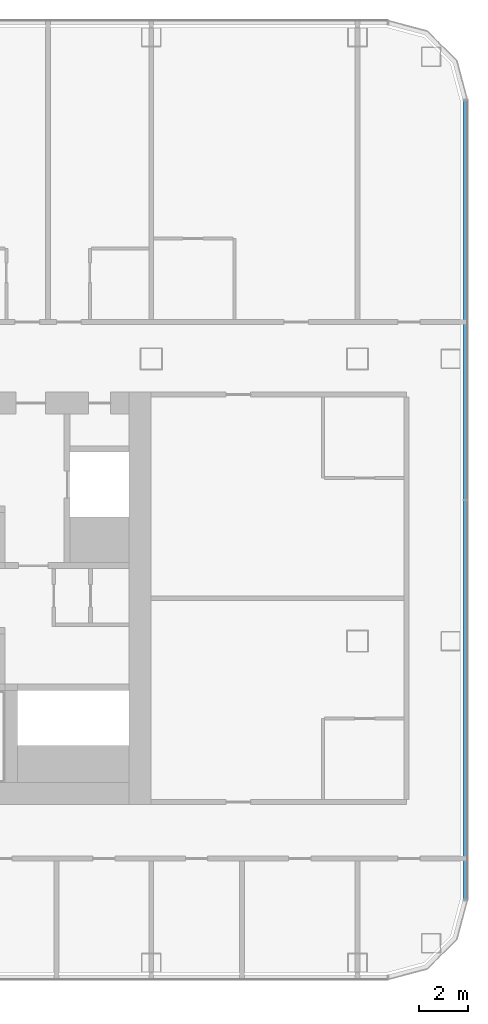
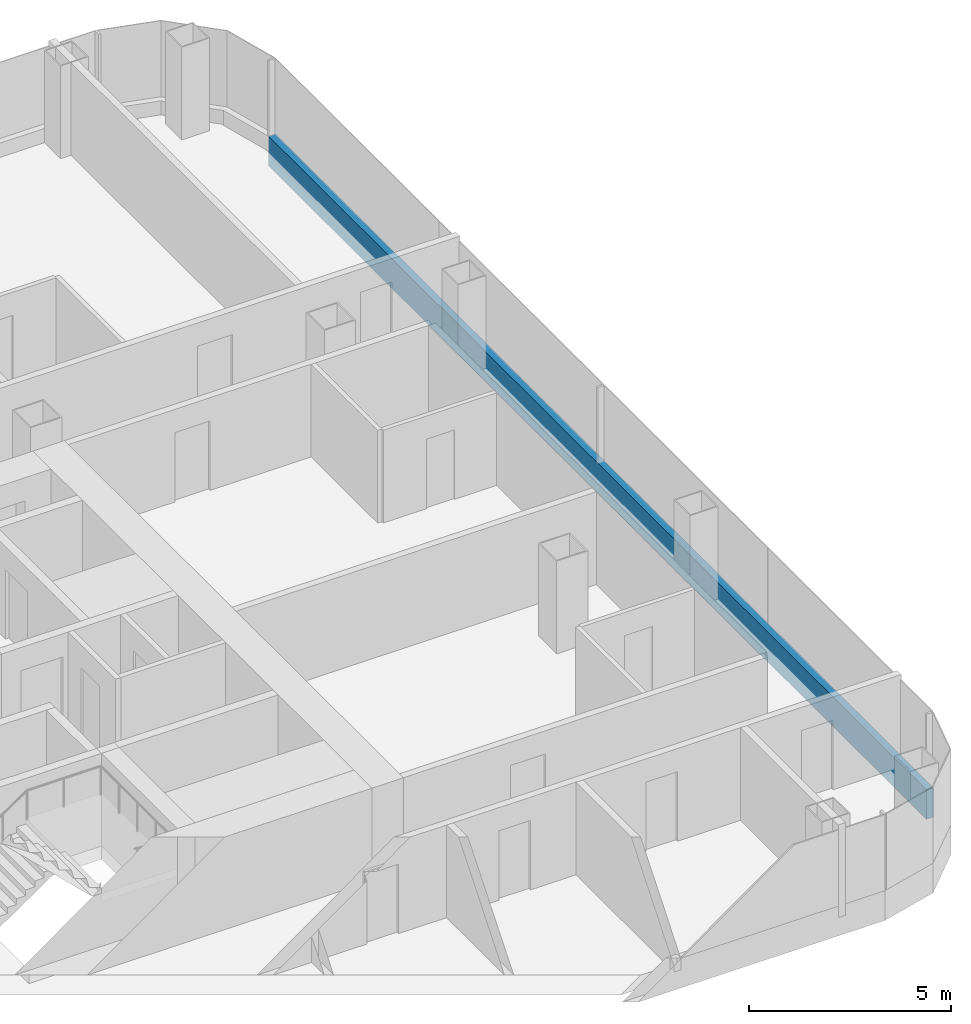
# One storey, part 12 of 29: 1 member, 1 element without a shape of its own.
"""IFC4 building model written with IfcOpenShell, lengths in metres."""

from ifc_helpers import new_model, si_unit, direction, frame, origin, origin_2d, place, context, subcontext, project, spatial, rectangle, extrude, material, layer, layer_set, material_profile, profile_set, type_object, element, aggregate, save


model = new_model("IFC4")

# Units and contexts
model_context = context("Model", 3, precision=1e-05, world=origin(), true_north=direction((0.0, 1.0)))
body_context = subcontext(model_context, "Body", "Model", "MODEL_VIEW")
ifc_project = project(units=[si_unit("LENGTHUNIT", "METRE"), si_unit("AREAUNIT", "SQUARE_METRE"), si_unit("VOLUMEUNIT", "CUBIC_METRE"), si_unit("PLANEANGLEUNIT", "RADIAN"), si_unit("MASSUNIT", "GRAM", prefix="KILO")], contexts=[model_context])

# Site, building, storey
site_placement = place(None, origin())
site = spatial("IfcSite", under=ifc_project, at=site_placement, CompositionType="ELEMENT")
building_placement = place(site_placement, origin())
building = spatial("IfcBuilding", under=site, at=building_placement, Name="Hakoniwa Tower and Hamabe Station Hall", CompositionType="ELEMENT")
storey_placement = place(building_placement, frame((0.0, 0.0, 97.800048828125)))
storey = spatial("IfcBuildingStorey", under=building, at=storey_placement, Name="L27", CompositionType="ELEMENT", Elevation=97.800048828125)

# Curtain wall, member
ifc_material_1 = material(Name="Dark low-e laminated glass", Category="glass")
ifc_layer = layer(ifc_material_1, 0.199951171875)
ifc_layer_set = layer_set([ifc_layer], Name="CW-1 UNITISED GUEST")
curtain_wall_type = type_object("IfcCurtainWallType", Name="CW-1 UNITISED GUEST", PredefinedType="NOTDEFINED", material=ifc_layer_set)
curtain_wall_placement = place(storey_placement, origin())
curtain_wall = element("IfcCurtainWall", 1, at=curtain_wall_placement, inside=storey, type_object=curtain_wall_type, Name="CW-1 curtain wall", PredefinedType="NOTDEFINED")
ifc_material_2 = material(Name="Aluminium 6063-T5 black anodised", Category="aluminium")
ifc_material_profile = material_profile(ifc_material_2, rectangle(XDim=0.199951171875, YDim=0.89990234375, at=origin_2d()), Name="CW SLAB-EDGE BAND 900X200")
ifc_profile_set = profile_set([ifc_material_profile], Name="Aluminium 6063-T5 black anodised")
member_type = type_object("IfcMemberType", Name="CW SLAB-EDGE BAND 900X200", PredefinedType="USERDEFINED", material=ifc_profile_set)
member_placement = place(storey_placement, frame((46.39990234375, -12.28955078125, -0.10009765625), z_axis=(0.0, 1.0, 0.0), x_axis=(-1.0, 0.0, 0.0)))
member = element("IfcMember", 2, at=member_placement, type_object=member_type, Name="CW-1 transom", ObjectType="TRANSOM", PredefinedType="USERDEFINED", context=body_context, shape_type="SweptSolid", body=[
    extrude(rectangle(XDim=0.199951171875, YDim=0.89990234375, at=origin_2d()), origin(), (0.0, 0.0, 1.0), 32.5791015625),
])
aggregate(curtain_wall, [member])

save(model, "model.ifc")
